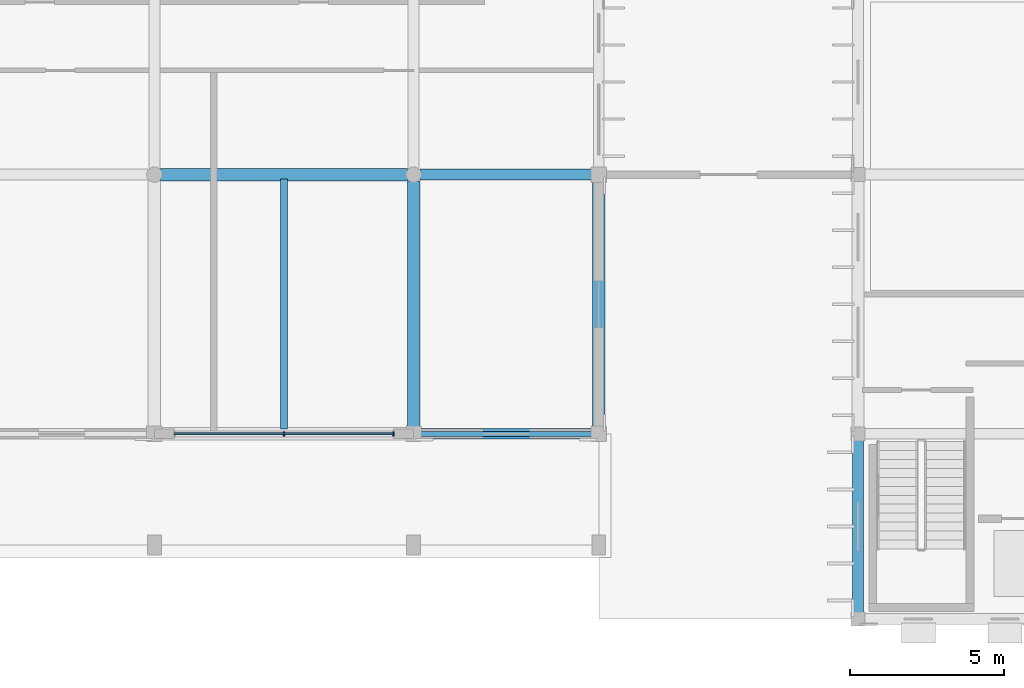
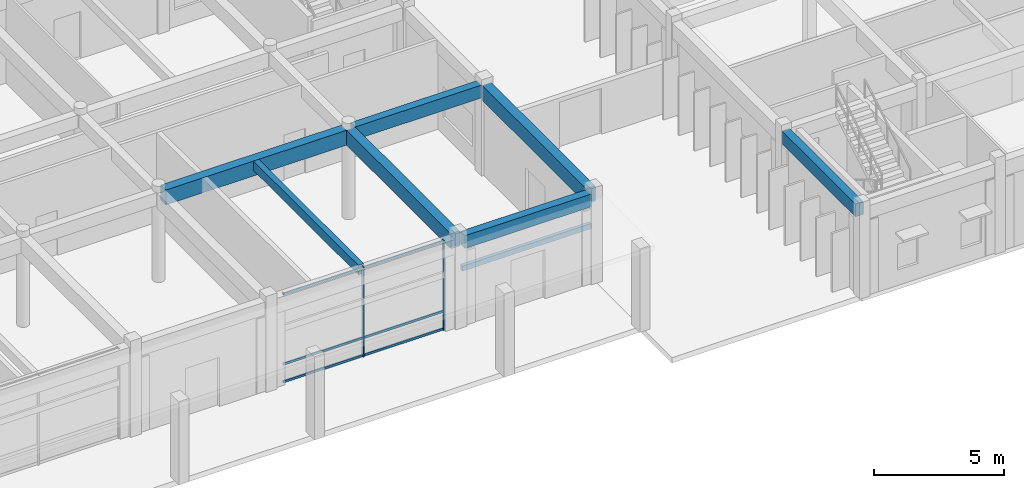
# One storey, part 15 of 67: 8 beams, 5 members, 1 element without a shape of its own.
"""IFC4 building model written with IfcOpenShell, lengths in metres."""

from ifc_helpers import new_model, si_unit, direction, frame, origin, origin_2d, place, context, subcontext, project, spatial, rectangle, extrude, material, material_profile, profile_set, type_object, element, aggregate, save


model = new_model("IFC4")

# Units and contexts
model_context = context("Model", 3, precision=1e-05, world=origin(), true_north=direction((0.0, 1.0)))
body_context = subcontext(model_context, "Body", "Model", "MODEL_VIEW")
ifc_project = project(units=[si_unit("LENGTHUNIT", "METRE"), si_unit("AREAUNIT", "SQUARE_METRE"), si_unit("VOLUMEUNIT", "CUBIC_METRE"), si_unit("PLANEANGLEUNIT", "RADIAN"), si_unit("MASSUNIT", "GRAM", prefix="KILO"), si_unit("THERMODYNAMICTEMPERATUREUNIT", "KELVIN")], contexts=[model_context])

# Site, building, storey
site_placement = place(None, origin())
site = spatial("IfcSite", under=ifc_project, at=site_placement, CompositionType="ELEMENT")
building_placement = place(site_placement, origin())
building = spatial("IfcBuilding", under=site, at=building_placement, Name="Thalorik Housing Commons", CompositionType="ELEMENT")
storey_placement = place(building_placement, origin())
storey = spatial("IfcBuildingStorey", under=building, at=storey_placement, Name="L00", CompositionType="ELEMENT", Elevation=0.0)

# Curtain wall, members
ifc_material_1 = material(Name="Anodised aluminium and solar-control low-E glass", Category="aluminium")
curtain_wall_type = type_object("IfcCurtainWallType", Name="ARC-CW-CIVIC", PredefinedType="USERDEFINED", material=ifc_material_1)
curtain_wall_placement = place(storey_placement, origin())
curtain_wall = element("IfcCurtainWall", 1, at=curtain_wall_placement, inside=storey, type_object=curtain_wall_type, Name="L00 Curtain Wall CW-SHOP-L00-233", ObjectType="CURTAIN WALL", PredefinedType="USERDEFINED")
ifc_material_2 = material(Name="Anodised aluminium 6063-T6", Category="aluminium")
ifc_material_profile_1 = material_profile(ifc_material_2, rectangle(XDim=0.054931640625, YDim=0.139892578125, at=origin_2d()), Name="ALU MUL 55x140", Category="aluminium")
ifc_profile_set_1 = profile_set([ifc_material_profile_1], Name="Anodised aluminium 6063-T6")
member_type_1 = type_object("IfcMemberType", Name="ARC-CW-MUL-55x140", PredefinedType="MULLION", material=ifc_profile_set_1)
member_1_placement = place(storey_placement, frame((105.0, 14.39990234375, 0.0), z_axis=(0.0, 0.0, 1.0), x_axis=(1.0, 0.0, 0.0)))
member_1 = element("IfcMember", 2, at=member_1_placement, type_object=member_type_1, Name="CW-SHOP-L00-233 Mullion 2", PredefinedType="MULLION", context=body_context, shape_type="SweptSolid", body=[
    extrude(rectangle(XDim=0.054931640625, YDim=0.139892578125, at=origin_2d()), origin(), (0.0, 0.0, 1.0), 4.199951171875),
])
member_2_placement = place(storey_placement, frame((108.550048828125, 14.39990234375, 0.0), z_axis=(0.0, 0.0, 1.0), x_axis=(1.0, 0.0, 0.0)))
member_2 = element("IfcMember", 3, at=member_2_placement, type_object=member_type_1, Name="CW-SHOP-L00-233 Mullion 3", PredefinedType="MULLION", context=body_context, shape_type="SweptSolid", body=[
    extrude(rectangle(XDim=0.054931640625, YDim=0.139892578125, at=origin_2d()), origin(), (0.0, 0.0, 1.0), 4.199951171875),
])
ifc_material_profile_2 = material_profile(ifc_material_2, rectangle(XDim=0.054931640625, YDim=0.10498046875, at=origin_2d()), Name="ALU TRN 55x105", Category="aluminium")
ifc_profile_set_2 = profile_set([ifc_material_profile_2], Name="Anodised aluminium 6063-T6")
member_type_2 = type_object("IfcMemberType", Name="ARC-CW-TRN-55x105", PredefinedType="USERDEFINED", material=ifc_profile_set_2)
member_3_placement = place(storey_placement, frame((101.449951171875, 14.39990234375, 0.054931640625), z_axis=(1.0, 0.0, 0.0), x_axis=(0.0, 1.0, 0.0)))
member_3 = element("IfcMember", 4, at=member_3_placement, type_object=member_type_2, Name="CW-SHOP-L00-233 Transom 1", ObjectType="TRANSOM", PredefinedType="USERDEFINED", context=body_context, shape_type="SweptSolid", body=[
    extrude(rectangle(XDim=0.054931640625, YDim=0.10498046875, at=origin_2d()), origin(), (0.0, 0.0, 1.0), 7.10009765625),
])
member_4_placement = place(storey_placement, frame((101.449951171875, 14.39990234375, 0.8798828125), z_axis=(1.0, 0.0, 0.0), x_axis=(0.0, 1.0, 0.0)))
member_4 = element("IfcMember", 5, at=member_4_placement, type_object=member_type_2, Name="CW-SHOP-L00-233 Transom 2", ObjectType="TRANSOM", PredefinedType="USERDEFINED", context=body_context, shape_type="SweptSolid", body=[
    extrude(rectangle(XDim=0.054931640625, YDim=0.10498046875, at=origin_2d()), origin(), (0.0, 0.0, 1.0), 7.10009765625),
])
member_5_placement = place(storey_placement, frame((101.449951171875, 14.39990234375, 4.14501953125), z_axis=(1.0, 0.0, 0.0), x_axis=(0.0, 1.0, 0.0)))
member_5 = element("IfcMember", 6, at=member_5_placement, type_object=member_type_2, Name="CW-SHOP-L00-233 Transom 3", ObjectType="TRANSOM", PredefinedType="USERDEFINED", context=body_context, shape_type="SweptSolid", body=[
    extrude(rectangle(XDim=0.054931640625, YDim=0.10498046875, at=origin_2d()), origin(), (0.0, 0.0, 1.0), 7.10009765625),
])
aggregate(curtain_wall, [member_1, member_2, member_3, member_4, member_5])

# Beams
ifc_material_3 = material(Name="Precast concrete C40/50", Category="concrete")
ifc_material_profile_3 = material_profile(ifc_material_3, rectangle(XDim=0.35009765625, YDim=0.60009765625, at=origin_2d()), Name="PC 350x600", Category="concrete")
ifc_profile_set_3 = profile_set([ifc_material_profile_3], Name="Precast concrete C40/50")
beam_type_1 = type_object("IfcBeamType", Name="STR-BM-PC350x600", PredefinedType="BEAM", material=ifc_profile_set_3)
for number, where, z_axis, x_axis, name in (
    (7, (109.39990234375, 14.39990234375, 3.89990234375), (1.0, 0.0, 0.0), (0.0, 1.0, 0.0), "L00 Beam B-600"),
    (8, (109.39990234375, 22.800048828125, 3.89990234375), (1.0, 0.0, 0.0), (0.0, 1.0, 0.0), "L00 Beam B-600"),
):
    element("IfcBeam", number, at=place(storey_placement, frame(where, z_axis=z_axis, x_axis=x_axis)), inside=storey, type_object=beam_type_1, Name=name, PredefinedType="BEAM", context=body_context, shape_type="SweptSolid", body=[
        extrude(rectangle(XDim=0.35009765625, YDim=0.60009765625, at=origin_2d()), origin(), (0.0, 0.0, 1.0), 5.60009765625),
    ])
beam_1_placement = place(storey_placement, frame((123.60009765625, 8.574951171875, 3.89990234375), z_axis=(0.0, 1.0, 0.0), x_axis=(-1.0, 0.0, 0.0)))
element("IfcBeam", 9, at=beam_1_placement, inside=storey, type_object=beam_type_1, Name="L00 Beam B-600", PredefinedType="BEAM", context=body_context, shape_type="SweptSolid", body=[
    extrude(rectangle(XDim=0.35009765625, YDim=0.60009765625, at=origin_2d()), origin(), (0.0, 0.0, 1.0), 5.650146484375),
])
ifc_material_profile_4 = material_profile(ifc_material_3, rectangle(XDim=0.39990234375, YDim=0.699951171875, at=origin_2d()), Name="PC 400x700", Category="concrete")
ifc_profile_set_4 = profile_set([ifc_material_profile_4], Name="Precast concrete C40/50")
beam_type_2 = type_object("IfcBeamType", Name="STR-BM-PC400x700", PredefinedType="BEAM", material=ifc_profile_set_4)
for number, where, z_axis, x_axis, name in (
    (10, (101.0, 22.800048828125, 3.85009765625), (1.0, 0.0, 0.0), (0.0, 1.0, 0.0), "L00 Beam B-700"),
    (11, (109.199951171875, 14.60009765625, 3.85009765625), (0.0, 1.0, 0.0), (-1.0, 0.0, 0.0), "L00 Beam B-700"),
    (12, (115.199951171875, 14.60009765625, 3.85009765625), (0.0, 1.0, 0.0), (-1.0, 0.0, 0.0), "L00 Beam B-700"),
):
    element("IfcBeam", number, at=place(storey_placement, frame(where, z_axis=z_axis, x_axis=x_axis)), inside=storey, type_object=beam_type_2, Name=name, PredefinedType="BEAM", context=body_context, shape_type="SweptSolid", body=[
        extrude(rectangle(XDim=0.39990234375, YDim=0.699951171875, at=origin_2d()), origin(), (0.0, 0.0, 1.0), 8.0),
    ])
ifc_material_profile_5 = material_profile(ifc_material_3, rectangle(XDim=0.239990234375, YDim=0.43994140625, at=origin_2d()), Name="PC JST 240x440", Category="concrete")
ifc_profile_set_5 = profile_set([ifc_material_profile_5], Name="Precast concrete C40/50")
beam_type_3 = type_object("IfcBeamType", Name="STR-JST-PC240x440", PredefinedType="JOIST", material=ifc_profile_set_5)
beam_2_placement = place(storey_placement, frame((105.0, 14.550048828125, 3.97998046875), z_axis=(0.0, 1.0, 0.0), x_axis=(-1.0, 0.0, 0.0)))
element("IfcBeam", 13, at=beam_2_placement, inside=storey, type_object=beam_type_3, Name="L00 Beam J-440", PredefinedType="JOIST", context=body_context, shape_type="SweptSolid", body=[
    extrude(rectangle(XDim=0.239990234375, YDim=0.43994140625, at=origin_2d()), origin(), (0.0, 0.0, 1.0), 8.099853515625),
])
ifc_material_profile_6 = material_profile(ifc_material_3, rectangle(XDim=0.159912109375, YDim=0.239990234375, at=origin_2d()), Name="PC LIN 160x240", Category="concrete")
ifc_profile_set_6 = profile_set([ifc_material_profile_6], Name="Precast concrete C40/50")
beam_type_4 = type_object("IfcBeamType", Name="STR-LIN-PC160x240", PredefinedType="LINTEL", material=ifc_profile_set_6)
beam_3_placement = place(storey_placement, frame((109.35009765625, 14.39990234375, 2.6201171875), z_axis=(1.0, 0.0, 0.0), x_axis=(0.0, 1.0, 0.0)))
element("IfcBeam", 14, at=beam_3_placement, inside=storey, type_object=beam_type_4, Name="L00 Shopfront Precast Lintel 7", PredefinedType="LINTEL", context=body_context, shape_type="SweptSolid", body=[
    extrude(rectangle(XDim=0.159912109375, YDim=0.239990234375, at=origin_2d()), origin(), (0.0, 0.0, 1.0), 5.699951171875),
])

save(model, "model.ifc")
